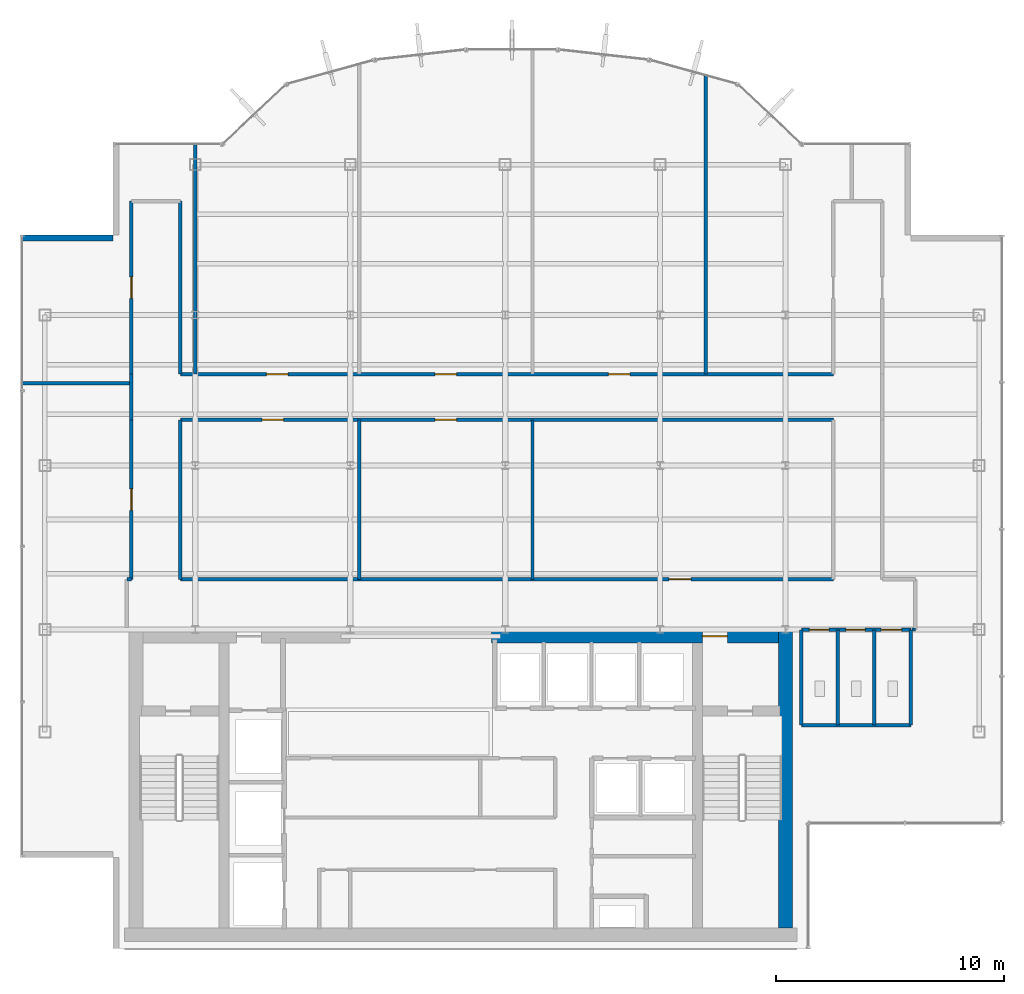
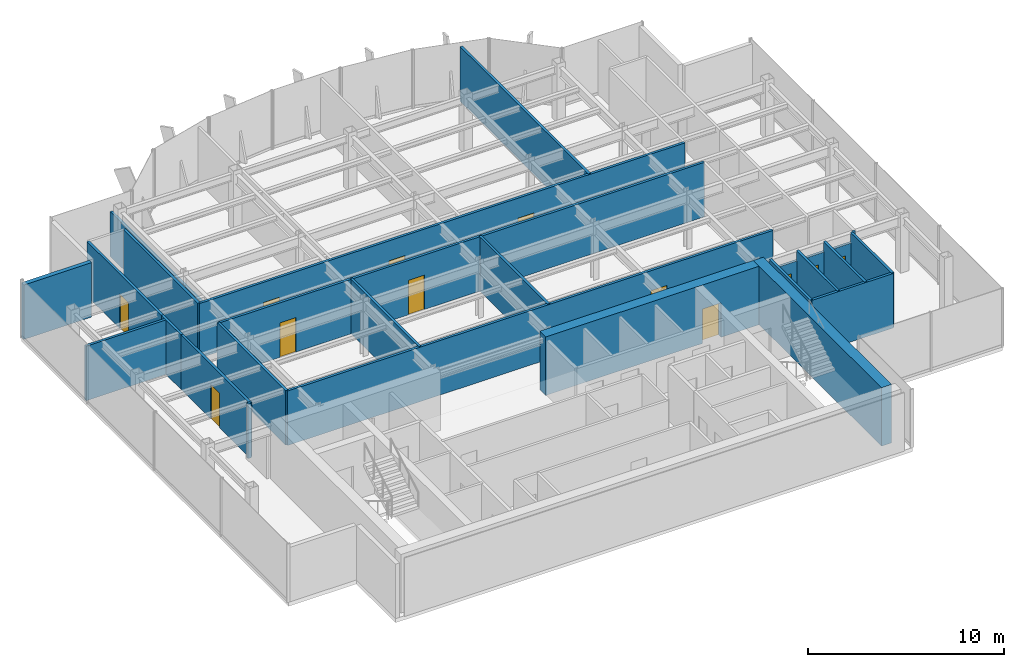
# One storey, part 18 of 22: 24 walls, 12 doors, 12 openings.
"""IFC4 building model written with IfcOpenShell, lengths in metres."""

from ifc_helpers import new_model, si_unit, derived_unit, direction, frame, frame_2d, origin, place, context, subcontext, project, spatial, rectangle, extrude, source, transform, mapped, material, layer, layer_set, type_object, element, fill, save


model = new_model("IFC4")

# Units and contexts
model_context = context("Model", 3, precision=1e-05, world=origin(), true_north=direction((0.0, 1.0)))
body_context = subcontext(model_context, "Body", "Model", "MODEL_VIEW")
ifc_project = project(units=[si_unit("LENGTHUNIT", "METRE"), si_unit("AREAUNIT", "SQUARE_METRE"), si_unit("VOLUMEUNIT", "CUBIC_METRE"), si_unit("PLANEANGLEUNIT", "RADIAN"), si_unit("MASSUNIT", "GRAM", prefix="KILO"), derived_unit("THERMALTRANSMITTANCEUNIT", [(si_unit("POWERUNIT", "WATT"), 1), (si_unit("LENGTHUNIT", "METRE"), -2), (si_unit("THERMODYNAMICTEMPERATUREUNIT", "KELVIN"), -1)])], contexts=[model_context])

# Site, building, storey
site_placement = place(None, origin())
site = spatial("IfcSite", under=ifc_project, at=site_placement, CompositionType="ELEMENT")
building_placement = place(site_placement, origin())
building = spatial("IfcBuilding", under=site, at=building_placement, Name="Skarnbrae Concourse Arena and Tower", CompositionType="ELEMENT")
storey_placement = place(building_placement, frame((0.0, 0.0, 273.39990234375)))
storey = spatial("IfcBuildingStorey", under=building, at=storey_placement, Name="L71", CompositionType="ELEMENT", Elevation=273.39990234375)

# Wall
ifc_material_1 = material(Name="Concrete 50 MPa (C50/60)", Category="concrete")
ifc_layer_1 = layer(ifc_material_1, 0.60009765625)
ifc_layer_set_1 = layer_set([ifc_layer_1], Name="Concrete 50 MPa (C50/60)")
wall_type_1 = type_object("IfcWallType", Name="WALL-CORE-600-C50", PredefinedType="SHEAR", material=ifc_layer_set_1)
shared_shape_1 = source(origin(), body_context, "Body", "SweptSolid", [
    extrude(rectangle(XDim=13.10009765625, YDim=0.60009765625, at=frame_2d((6.550048828125, 0.0))), origin(), (0.0, 0.0, 1.0), 3.650146484375),
])
wall_1_placement = place(storey_placement, frame((33.5, 0.89990234375, 0.0), z_axis=(0.0, 0.0, 1.0), x_axis=(0.0, 1.0, 0.0)))
element("IfcWall", 1, at=wall_1_placement, inside=storey, type_object=wall_type_1, Name="L71 Rear core shear wall CW-E", PredefinedType="SHEAR", context=body_context, shape_type="MappedRepresentation", body=[
    mapped(shared_shape_1, transform((0.0, 0.0, 0.0))),
])

# Wall, opening, door
shared_shape_2 = source(origin(), body_context, "Body", "SweptSolid", [
    extrude(rectangle(XDim=12.599853515625, YDim=0.60009765625, at=frame_2d((6.2998046875, 0.0))), origin(), (0.0, 0.0, 1.0), 3.650146484375),
])
wall_2_placement = place(storey_placement, frame((20.60009765625, 13.699951171875, 0.0), z_axis=(0.0, 0.0, 1.0), x_axis=(1.0, 0.0, 0.0)))
wall_2 = element("IfcWall", 2, at=wall_2_placement, inside=storey, type_object=wall_type_1, Name="L71 Rear core shear wall CW-NE", PredefinedType="SHEAR", context=body_context, shape_type="MappedRepresentation", body=[
    mapped(shared_shape_2, transform((0.0, 0.0, 0.0))),
])
opening_1_placement = place(wall_2_placement, frame((9.25, 0.0, 0.0)))
opening_1 = element("IfcOpeningElement", 3, at=opening_1_placement, cuts=wall_2, Name="Opening DT-03", PredefinedType="OPENING", context=body_context, shape_type="SweptSolid", body=[
    extrude(rectangle(XDim=1.10009765625, YDim=2.14990234375, at=frame_2d((0.550048828125, 1.074951171875))), frame((0.0, 0.31005859375, 0.0), z_axis=(0.0, -1.0, 0.0), x_axis=(1.0, 0.0, 0.0)), (0.0, 0.0, 1.0), 0.6201171875),
])
ifc_material_2 = material(Name="Steel CSA G40.21 350W", Category="steel")
door_type_1 = type_object("IfcDoorType", Name="DOOR-FIRE-1100-90M", OperationType="NOTDEFINED", PredefinedType="DOOR", material=ifc_material_2)
shared_shape_3 = source(origin(), body_context, "Body", "SweptSolid", [
    extrude(rectangle(XDim=1.10009765625, YDim=2.14990234375, at=frame_2d((0.550048828125, 1.074951171875))), frame((0.0, 0.02490234375, 0.0), z_axis=(0.0, -1.0, 0.0), x_axis=(1.0, 0.0, 0.0)), (0.0, 0.0, 1.0), 0.050048828125),
])
door_1_placement = place(opening_1_placement, origin())
door_1 = element("IfcDoor", 4, at=door_1_placement, inside=storey, type_object=door_type_1, Name="D-2141 Stair ST-2 Vestibule Door", OperationType="SINGLE_SWING_LEFT", OverallHeight=2.14990234375, OverallWidth=1.10009765625, PredefinedType="DOOR", context=body_context, shape_type="MappedRepresentation", body=[
    mapped(shared_shape_3, transform((0.0, 0.0, 0.0))),
])
fill(opening_1, door_1)

# Walls
ifc_material_3 = material(Name="Precast concrete 40 MPa (C40/50)", Category="concrete")
ifc_layer_2 = layer(ifc_material_3, 0.25)
ifc_layer_set_2 = layer_set([ifc_layer_2], Name="Precast concrete 40 MPa (C40/50)")
wall_type_2 = type_object("IfcWallType", Name="WALL-EXT-SPANDREL-250", PredefinedType="STANDARD", material=ifc_layer_set_2)
shared_shape_4 = source(origin(), body_context, "Body", "SweptSolid", [
    extrude(rectangle(XDim=4.0, YDim=0.25, at=frame_2d((2.0, 0.0))), origin(), (0.0, 0.0, 1.0), 3.400146484375),
])
wall_3_placement = place(storey_placement, frame((4.0, 31.175048828125, 0.0), z_axis=(0.0, 0.0, 1.0), x_axis=(-1.0, 0.0, 0.0)))
element("IfcWall", 5, at=wall_3_placement, inside=storey, type_object=wall_type_2, Name="L71 Notched corner insulated return wall 17", PredefinedType="STANDARD", context=body_context, shape_type="MappedRepresentation", body=[
    mapped(shared_shape_4, transform((0.0, 0.0, 0.0))),
])
ifc_material_4 = material(Name="Gypsum board on cold-formed steel studs", Category="steel")
ifc_layer_3 = layer(ifc_material_4, 0.14990234375)
ifc_layer_set_3 = layer_set([ifc_layer_3], Name="Gypsum board on cold-formed steel studs")
wall_type_3 = type_object("IfcWallType", Name="WALL-PART-150", PredefinedType="PARTITIONING", material=ifc_layer_set_3)
shared_shape_5 = source(origin(), body_context, "Body", "SweptSolid", [
    extrude(rectangle(XDim=4.800048828125, YDim=0.14990234375, at=frame_2d((2.39990234375, 0.0))), origin(), (0.0, 0.0, 1.0), 3.400146484375),
])
wall_4_placement = place(storey_placement, frame((34.199951171875, 9.800048828125, 0.0), z_axis=(0.0, 0.0, 1.0), x_axis=(1.0, 0.0, 0.0)))
element("IfcWall", 6, at=wall_4_placement, inside=storey, type_object=wall_type_3, Name="L71 Interior partition wall W-L71-WC-S", PredefinedType="PARTITIONING", context=body_context, shape_type="MappedRepresentation", body=[
    mapped(shared_shape_5, transform((0.0, 0.0, 0.0))),
])
shared_shape_6 = source(origin(), body_context, "Body", "SweptSolid", [
    extrude(rectangle(XDim=4.179931640625, YDim=0.14990234375, at=frame_2d((2.08984375, 0.0))), origin(), (0.0, 0.0, 1.0), 3.400146484375),
])
for number, where, z_axis, x_axis, name in (
    (7, (39.0, 9.800048828125, 0.0), (0.0, 0.0, 1.0), (0.0, 1.0, 0.0), "L71 Interior partition wall W-L71-WC-E"),
    (8, (34.199951171875, 9.800048828125, 0.0), (0.0, 0.0, 1.0), (0.0, 1.0, 0.0), "L71 Interior partition wall W-L71-WC-W"),
    (9, (35.800048828125, 9.800048828125, 0.0), (0.0, 0.0, 1.0), (0.0, 1.0, 0.0), "L71 Interior partition wall W-L71-WC-D1"),
    (10, (37.39990234375, 9.800048828125, 0.0), (0.0, 0.0, 1.0), (0.0, 1.0, 0.0), "L71 Interior partition wall W-L71-WC-D2"),
):
    element("IfcWall", number, at=place(storey_placement, frame(where, z_axis=z_axis, x_axis=x_axis)), inside=storey, type_object=wall_type_3, Name=name, PredefinedType="PARTITIONING", context=body_context, shape_type="MappedRepresentation", body=[
        mapped(shared_shape_6, transform((0.0, 0.0, 0.0))),
    ])

# Wall, opening, door
ifc_layer_4 = layer(ifc_material_4, 0.14990234375)
ifc_layer_set_4 = layer_set([ifc_layer_4], Name="Gypsum board on cold-formed steel studs")
wall_type_4 = type_object("IfcWallType", Name="WALL-PART-150-1HR", PredefinedType="PARTITIONING", material=ifc_layer_set_4)
shared_shape_7 = source(origin(), body_context, "Body", "SweptSolid", [
    extrude(rectangle(XDim=7.60009765625, YDim=0.14990234375, at=frame_2d((3.800048828125, 0.0))), origin(), (0.0, 0.0, 1.0), 3.400146484375),
])
wall_5_placement = place(storey_placement, frame((4.800048828125, 25.199951171875, 0.0), z_axis=(0.0, 0.0, 1.0), x_axis=(0.0, 1.0, 0.0)))
wall_5 = element("IfcWall", 11, at=wall_5_placement, inside=storey, type_object=wall_type_4, Name="L71 Interior partition wall W-L71-COR-05", PredefinedType="PARTITIONING", context=body_context, shape_type="MappedRepresentation", body=[
    mapped(shared_shape_7, transform((0.0, 0.0, 0.0))),
])
opening_2_placement = place(wall_5_placement, frame((3.324951171875, 0.0, 0.0)))
opening_2 = element("IfcOpeningElement", 12, at=opening_2_placement, cuts=wall_5, Name="Opening DT-04", PredefinedType="OPENING", context=body_context, shape_type="SweptSolid", body=[
    extrude(rectangle(XDim=0.949951171875, YDim=2.14990234375, at=frame_2d((0.47509765625, 1.074951171875))), frame((0.0, 0.0849609375, 0.0), z_axis=(0.0, -1.0, 0.0), x_axis=(1.0, 0.0, 0.0)), (0.0, 0.0, 1.0), 0.169921875),
])
door_type_2 = type_object("IfcDoorType", Name="DOOR-INT-950-45M", OperationType="NOTDEFINED", PredefinedType="DOOR", material=ifc_material_2)
shared_shape_8 = source(origin(), body_context, "Body", "SweptSolid", [
    extrude(rectangle(XDim=0.949951171875, YDim=2.14990234375, at=frame_2d((0.47509765625, 1.074951171875))), frame((0.0, 0.02490234375, 0.0), z_axis=(0.0, -1.0, 0.0), x_axis=(1.0, 0.0, 0.0)), (0.0, 0.0, 1.0), 0.050048828125),
])
door_2_placement = place(opening_2_placement, origin())
door_2 = element("IfcDoor", 13, at=door_2_placement, inside=storey, type_object=door_type_2, Name="D-2161 L71 Suite Door 02", OperationType="SINGLE_SWING_RIGHT", OverallHeight=2.14990234375, OverallWidth=0.949951171875, PredefinedType="DOOR", context=body_context, shape_type="MappedRepresentation", body=[
    mapped(shared_shape_8, transform((0.0, 0.0, 0.0))),
])
fill(opening_2, door_2)

# Wall
wall_6_placement = place(storey_placement, frame((6.949951171875, 32.800048828125, 0.0), z_axis=(0.0, 0.0, 1.0), x_axis=(0.0, -1.0, 0.0)))
element("IfcWall", 14, at=wall_6_placement, inside=storey, type_object=wall_type_4, Name="L71 Interior partition wall W-L71-COR-07", PredefinedType="PARTITIONING", context=body_context, shape_type="MappedRepresentation", body=[
    mapped(shared_shape_7, transform((0.0, 0.0, 0.0))),
])

# Wall, openings, doors
shared_shape_9 = source(origin(), body_context, "Body", "SweptSolid", [
    extrude(rectangle(XDim=4.800048828125, YDim=0.14990234375, at=frame_2d((2.39990234375, 0.0))), origin(), (0.0, 0.0, 1.0), 2.787109375),
])
wall_7_placement = place(storey_placement, frame((34.199951171875, 13.97998046875, 0.0), z_axis=(0.0, 0.0, 1.0), x_axis=(1.0, 0.0, 0.0)))
wall_7 = element("IfcWall", 15, at=wall_7_placement, inside=storey, type_object=wall_type_3, Name="L71 Interior partition wall W-L71-WC-N", PredefinedType="PARTITIONING", context=body_context, shape_type="MappedRepresentation", body=[
    mapped(shared_shape_9, transform((0.0, 0.0, 0.0))),
])
opening_3_placement = place(wall_7_placement, frame((0.35009765625, 0.0, 0.0)))
opening_3 = element("IfcOpeningElement", 16, at=opening_3_placement, cuts=wall_7, Name="Opening DT-06", PredefinedType="OPENING", context=body_context, shape_type="SweptSolid", body=[
    extrude(rectangle(XDim=0.85009765625, YDim=2.10009765625, at=frame_2d((0.425048828125, 1.050048828125))), frame((0.0, 0.0849609375, 0.0), z_axis=(0.0, -1.0, 0.0), x_axis=(1.0, 0.0, 0.0)), (0.0, 0.0, 1.0), 0.169921875),
])
opening_4_placement = place(wall_7_placement, frame((1.949951171875, 0.0, 0.0)))
opening_4 = element("IfcOpeningElement", 17, at=opening_4_placement, cuts=wall_7, Name="Opening DT-06", PredefinedType="OPENING", context=body_context, shape_type="SweptSolid", body=[
    extrude(rectangle(XDim=0.85009765625, YDim=2.10009765625, at=frame_2d((0.425048828125, 1.050048828125))), frame((0.0, 0.0849609375, 0.0), z_axis=(0.0, -1.0, 0.0), x_axis=(1.0, 0.0, 0.0)), (0.0, 0.0, 1.0), 0.169921875),
])
opening_5_placement = place(wall_7_placement, frame((3.5, 0.0, 0.0)))
opening_5 = element("IfcOpeningElement", 18, at=opening_5_placement, cuts=wall_7, Name="Opening DT-05", PredefinedType="OPENING", context=body_context, shape_type="SweptSolid", body=[
    extrude(rectangle(XDim=0.89990234375, YDim=2.10009765625, at=frame_2d((0.449951171875, 1.050048828125))), frame((0.0, 0.0849609375, 0.0), z_axis=(0.0, -1.0, 0.0), x_axis=(1.0, 0.0, 0.0)), (0.0, 0.0, 1.0), 0.169921875),
])
ifc_material_5 = material(Name="Architectural oak veneer timber leaf", Category="wood")
door_type_3 = type_object("IfcDoorType", Name="DOOR-INT-850", OperationType="NOTDEFINED", PredefinedType="DOOR", material=ifc_material_5)
shared_shape_10 = source(origin(), body_context, "Body", "SweptSolid", [
    extrude(rectangle(XDim=0.85009765625, YDim=2.10009765625, at=frame_2d((0.425048828125, 1.050048828125))), frame((0.0, 0.02490234375, 0.0), z_axis=(0.0, -1.0, 0.0), x_axis=(1.0, 0.0, 0.0)), (0.0, 0.0, 1.0), 0.050048828125),
])
door_3_placement = place(opening_3_placement, frame((0.85009765625, 0.0, 0.0), z_axis=(0.0, 0.0, 1.0), x_axis=(-1.0, 0.0, 0.0)))
door_3 = element("IfcDoor", 19, at=door_3_placement, inside=storey, type_object=door_type_3, Name="D-2157 Male Washroom Door", OperationType="SINGLE_SWING_LEFT", OverallHeight=2.10009765625, OverallWidth=0.85009765625, PredefinedType="DOOR", context=body_context, shape_type="MappedRepresentation", body=[
    mapped(shared_shape_10, transform((0.0, 0.0, 0.0))),
])
fill(opening_3, door_3)
door_4_placement = place(opening_4_placement, frame((0.85009765625, 0.0, 0.0), z_axis=(0.0, 0.0, 1.0), x_axis=(-1.0, 0.0, 0.0)))
door_4 = element("IfcDoor", 20, at=door_4_placement, inside=storey, type_object=door_type_3, Name="D-2158 Female Washroom Door", OperationType="SINGLE_SWING_RIGHT", OverallHeight=2.10009765625, OverallWidth=0.85009765625, PredefinedType="DOOR", context=body_context, shape_type="MappedRepresentation", body=[
    mapped(shared_shape_10, transform((0.0, 0.0, 0.0))),
])
fill(opening_4, door_4)
door_type_4 = type_object("IfcDoorType", Name="DOOR-INT-900", OperationType="NOTDEFINED", PredefinedType="DOOR", material=ifc_material_5)
shared_shape_11 = source(origin(), body_context, "Body", "SweptSolid", [
    extrude(rectangle(XDim=0.89990234375, YDim=2.10009765625, at=frame_2d((0.449951171875, 1.050048828125))), frame((0.0, 0.02490234375, 0.0), z_axis=(0.0, -1.0, 0.0), x_axis=(1.0, 0.0, 0.0)), (0.0, 0.0, 1.0), 0.050048828125),
])
door_5_placement = place(opening_5_placement, frame((0.89990234375, 0.0, 0.0), z_axis=(0.0, 0.0, 1.0), x_axis=(-1.0, 0.0, 0.0)))
door_5 = element("IfcDoor", 21, at=door_5_placement, inside=storey, type_object=door_type_4, Name="D-2159 Accessible WC Door", OperationType="SINGLE_SWING_LEFT", OverallHeight=2.10009765625, OverallWidth=0.89990234375, PredefinedType="DOOR", context=body_context, shape_type="MappedRepresentation", body=[
    mapped(shared_shape_11, transform((0.0, 0.0, 0.0))),
])
fill(opening_5, door_5)

# Walls
shared_shape_12 = source(origin(), body_context, "Body", "SweptSolid", [
    extrude(rectangle(XDim=0.14990234375, YDim=0.14990234375, at=frame_2d((0.074951171875, 0.0))), origin(), (0.0, 0.0, 1.0), 3.400146484375),
])
wall_8_placement = place(storey_placement, frame((39.199951171875, 14.0, 0.0), z_axis=(0.0, 0.0, 1.0), x_axis=(-1.0, 0.0, 0.0)))
element("IfcWall", 22, at=wall_8_placement, inside=storey, type_object=wall_type_4, Name="L71 Interior partition wall W-L71-COR-16", PredefinedType="PARTITIONING", context=body_context, shape_type="MappedRepresentation", body=[
    mapped(shared_shape_12, transform((0.0, 0.0, 0.0))),
])
shared_shape_13 = source(origin(), body_context, "Body", "SweptSolid", [
    extrude(rectangle(XDim=2.0, YDim=0.14990234375, at=frame_2d((1.0, 0.0))), origin(), (0.0, 0.0, 1.0), 3.400146484375),
])
wall_9_placement = place(storey_placement, frame((4.800048828125, 23.199951171875, 0.0), z_axis=(0.0, 0.0, 1.0), x_axis=(0.0, 1.0, 0.0)))
element("IfcWall", 23, at=wall_9_placement, inside=storey, type_object=wall_type_4, Name="L71 Interior partition wall W-L71-COR-04", PredefinedType="PARTITIONING", context=body_context, shape_type="MappedRepresentation", body=[
    mapped(shared_shape_13, transform((0.0, 0.0, 0.0))),
])
shared_shape_14 = source(origin(), body_context, "Body", "SweptSolid", [
    extrude(rectangle(XDim=10.080078125, YDim=0.14990234375, at=frame_2d((5.0400390625, 0.0))), origin(), (0.0, 0.0, 1.0), 2.787109375),
])
wall_10_placement = place(storey_placement, frame((7.60009765625, 35.280029296875, 0.0), z_axis=(0.0, 0.0, 1.0), x_axis=(0.0, -1.0, 0.0)))
element("IfcWall", 24, at=wall_10_placement, inside=storey, type_object=wall_type_3, Name="L71 Interior partition wall W-L71-DEM-22", PredefinedType="PARTITIONING", context=body_context, shape_type="MappedRepresentation", body=[
    mapped(shared_shape_14, transform((0.0, 0.0, 0.0))),
])
shared_shape_15 = source(origin(), body_context, "Body", "SweptSolid", [
    extrude(rectangle(XDim=0.199951171875, YDim=0.14990234375, at=frame_2d((0.10009765625, 0.0))), origin(), (0.0, 0.0, 1.0), 3.400146484375),
])
wall_11_placement = place(storey_placement, frame((4.60009765625, 16.199951171875, 0.0), z_axis=(0.0, 0.0, 1.0), x_axis=(1.0, 0.0, 0.0)))
element("IfcWall", 25, at=wall_11_placement, inside=storey, type_object=wall_type_4, Name="L71 Interior partition wall W-L71-COR-02", PredefinedType="PARTITIONING", context=body_context, shape_type="MappedRepresentation", body=[
    mapped(shared_shape_15, transform((0.0, 0.0, 0.0))),
])

# Wall, opening, door
shared_shape_16 = source(origin(), body_context, "Body", "SweptSolid", [
    extrude(rectangle(XDim=7.0, YDim=0.14990234375, at=frame_2d((3.5, 0.0))), origin(), (0.0, 0.0, 1.0), 3.400146484375),
])
wall_12_placement = place(storey_placement, frame((4.800048828125, 16.199951171875, 0.0), z_axis=(0.0, 0.0, 1.0), x_axis=(0.0, 1.0, 0.0)))
wall_12 = element("IfcWall", 26, at=wall_12_placement, inside=storey, type_object=wall_type_4, Name="L71 Interior partition wall W-L71-COR-03", PredefinedType="PARTITIONING", context=body_context, shape_type="MappedRepresentation", body=[
    mapped(shared_shape_16, transform((0.0, 0.0, 0.0))),
])
opening_6_placement = place(wall_12_placement, frame((3.02490234375, 0.0, 0.0)))
opening_6 = element("IfcOpeningElement", 27, at=opening_6_placement, cuts=wall_12, Name="Opening DT-04", PredefinedType="OPENING", context=body_context, shape_type="SweptSolid", body=[
    extrude(rectangle(XDim=0.949951171875, YDim=2.14990234375, at=frame_2d((0.47509765625, 1.074951171875))), frame((0.0, 0.0849609375, 0.0), z_axis=(0.0, -1.0, 0.0), x_axis=(1.0, 0.0, 0.0)), (0.0, 0.0, 1.0), 0.169921875),
])
door_6_placement = place(opening_6_placement, origin())
door_6 = element("IfcDoor", 28, at=door_6_placement, inside=storey, type_object=door_type_2, Name="D-2160 L71 Suite Door 01", OperationType="SINGLE_SWING_LEFT", OverallHeight=2.14990234375, OverallWidth=0.949951171875, PredefinedType="DOOR", context=body_context, shape_type="MappedRepresentation", body=[
    mapped(shared_shape_8, transform((0.0, 0.0, 0.0))),
])
fill(opening_6, door_6)

# Walls
wall_13_placement = place(storey_placement, frame((6.949951171875, 23.199951171875, 0.0), z_axis=(0.0, 0.0, 1.0), x_axis=(0.0, -1.0, 0.0)))
element("IfcWall", 29, at=wall_13_placement, inside=storey, type_object=wall_type_4, Name="L71 Interior partition wall W-L71-COR-20", PredefinedType="PARTITIONING", context=body_context, shape_type="MappedRepresentation", body=[
    mapped(shared_shape_16, transform((0.0, 0.0, 0.0))),
])
for number, where, z_axis, x_axis, name in (
    (30, (14.800048828125, 23.199951171875, 0.0), (0.0, 0.0, 1.0), (0.0, -1.0, 0.0), "L71 Interior partition wall W-L71-DEM-23"),
    (31, (22.39990234375, 23.199951171875, 0.0), (0.0, 0.0, 1.0), (0.0, -1.0, 0.0), "L71 Interior partition wall W-L71-DEM-25"),
):
    element("IfcWall", number, at=place(storey_placement, frame(where, z_axis=z_axis, x_axis=x_axis)), inside=storey, type_object=wall_type_3, Name=name, PredefinedType="PARTITIONING", context=body_context, shape_type="MappedRepresentation", body=[
        mapped(shared_shape_16, transform((0.0, 0.0, 0.0))),
    ])

# Wall, openings, doors
shared_shape_17 = source(origin(), body_context, "Body", "SweptSolid", [
    extrude(rectangle(XDim=28.650146484375, YDim=0.14990234375, at=frame_2d((14.3251953125, 0.0))), origin(), (0.0, 0.0, 1.0), 3.400146484375),
])
wall_14_placement = place(storey_placement, frame((6.949951171875, 25.199951171875, 0.0), z_axis=(0.0, 0.0, 1.0), x_axis=(1.0, 0.0, 0.0)))
wall_14 = element("IfcWall", 32, at=wall_14_placement, inside=storey, type_object=wall_type_4, Name="L71 Interior partition wall W-L71-COR-08", PredefinedType="PARTITIONING", context=body_context, shape_type="MappedRepresentation", body=[
    mapped(shared_shape_17, transform((0.0, 0.0, 0.0))),
])
opening_7_placement = place(wall_14_placement, frame((3.77490234375, 0.0, 0.0)))
opening_7 = element("IfcOpeningElement", 33, at=opening_7_placement, cuts=wall_14, Name="Opening DT-04", PredefinedType="OPENING", context=body_context, shape_type="SweptSolid", body=[
    extrude(rectangle(XDim=0.949951171875, YDim=2.14990234375, at=frame_2d((0.47509765625, 1.074951171875))), frame((0.0, 0.0849609375, 0.0), z_axis=(0.0, -1.0, 0.0), x_axis=(1.0, 0.0, 0.0)), (0.0, 0.0, 1.0), 0.169921875),
])
opening_8_placement = place(wall_14_placement, frame((11.175048828125, 0.0, 0.0)))
opening_8 = element("IfcOpeningElement", 34, at=opening_8_placement, cuts=wall_14, Name="Opening DT-04", PredefinedType="OPENING", context=body_context, shape_type="SweptSolid", body=[
    extrude(rectangle(XDim=0.949951171875, YDim=2.14990234375, at=frame_2d((0.47509765625, 1.074951171875))), frame((0.0, 0.0849609375, 0.0), z_axis=(0.0, -1.0, 0.0), x_axis=(1.0, 0.0, 0.0)), (0.0, 0.0, 1.0), 0.169921875),
])
opening_9_placement = place(wall_14_placement, frame((18.77490234375, 0.0, 0.0)))
opening_9 = element("IfcOpeningElement", 35, at=opening_9_placement, cuts=wall_14, Name="Opening DT-04", PredefinedType="OPENING", context=body_context, shape_type="SweptSolid", body=[
    extrude(rectangle(XDim=0.949951171875, YDim=2.14990234375, at=frame_2d((0.47509765625, 1.074951171875))), frame((0.0, 0.0849609375, 0.0), z_axis=(0.0, -1.0, 0.0), x_axis=(1.0, 0.0, 0.0)), (0.0, 0.0, 1.0), 0.169921875),
])
door_7_placement = place(opening_7_placement, origin())
door_7 = element("IfcDoor", 36, at=door_7_placement, inside=storey, type_object=door_type_2, Name="D-2163 L71 Suite Door 04", OperationType="SINGLE_SWING_RIGHT", OverallHeight=2.14990234375, OverallWidth=0.949951171875, PredefinedType="DOOR", context=body_context, shape_type="MappedRepresentation", body=[
    mapped(shared_shape_8, transform((0.0, 0.0, 0.0))),
])
fill(opening_7, door_7)
door_8_placement = place(opening_8_placement, origin())
door_8 = element("IfcDoor", 37, at=door_8_placement, inside=storey, type_object=door_type_2, Name="D-2165 L71 Suite Door 06", OperationType="SINGLE_SWING_RIGHT", OverallHeight=2.14990234375, OverallWidth=0.949951171875, PredefinedType="DOOR", context=body_context, shape_type="MappedRepresentation", body=[
    mapped(shared_shape_8, transform((0.0, 0.0, 0.0))),
])
fill(opening_8, door_8)
door_9_placement = place(opening_9_placement, origin())
door_9 = element("IfcDoor", 38, at=door_9_placement, inside=storey, type_object=door_type_2, Name="D-2166 L71 Suite Door 07", OperationType="SINGLE_SWING_LEFT", OverallHeight=2.14990234375, OverallWidth=0.949951171875, PredefinedType="DOOR", context=body_context, shape_type="MappedRepresentation", body=[
    mapped(shared_shape_8, transform((0.0, 0.0, 0.0))),
])
fill(opening_9, door_9)

# Wall, opening, door
wall_15_placement = place(storey_placement, frame((6.949951171875, 16.199951171875, 0.0), z_axis=(0.0, 0.0, 1.0), x_axis=(1.0, 0.0, 0.0)))
wall_15 = element("IfcWall", 39, at=wall_15_placement, inside=storey, type_object=wall_type_4, Name="L71 Interior partition wall W-L71-COR-17", PredefinedType="PARTITIONING", context=body_context, shape_type="MappedRepresentation", body=[
    mapped(shared_shape_17, transform((0.0, 0.0, 0.0))),
])
opening_10_placement = place(wall_15_placement, frame((21.445068359375, 0.0, 0.0)))
opening_10 = element("IfcOpeningElement", 40, at=opening_10_placement, cuts=wall_15, Name="Opening DT-04", PredefinedType="OPENING", context=body_context, shape_type="SweptSolid", body=[
    extrude(rectangle(XDim=0.949951171875, YDim=2.14990234375, at=frame_2d((0.47509765625, 1.074951171875))), frame((0.0, 0.0849609375, 0.0), z_axis=(0.0, -1.0, 0.0), x_axis=(1.0, 0.0, 0.0)), (0.0, 0.0, 1.0), 0.169921875),
])
door_10_placement = place(opening_10_placement, origin())
door_10 = element("IfcDoor", 41, at=door_10_placement, inside=storey, type_object=door_type_2, Name="D-2167 L71 Suite Door 08", OperationType="SINGLE_SWING_RIGHT", OverallHeight=2.14990234375, OverallWidth=0.949951171875, PredefinedType="DOOR", context=body_context, shape_type="MappedRepresentation", body=[
    mapped(shared_shape_8, transform((0.0, 0.0, 0.0))),
])
fill(opening_10, door_10)

# Wall, openings, doors
wall_16_placement = place(storey_placement, frame((35.60009765625, 23.199951171875, 0.0), z_axis=(0.0, 0.0, 1.0), x_axis=(-1.0, 0.0, 0.0)))
wall_16 = element("IfcWall", 42, at=wall_16_placement, inside=storey, type_object=wall_type_4, Name="L71 Interior partition wall W-L71-COR-19", PredefinedType="PARTITIONING", context=body_context, shape_type="MappedRepresentation", body=[
    mapped(shared_shape_17, transform((0.0, 0.0, 0.0))),
])
opening_11_placement = place(wall_16_placement, frame((24.1201171875, 0.0, 0.0)))
opening_11 = element("IfcOpeningElement", 43, at=opening_11_placement, cuts=wall_16, Name="Opening DT-04", PredefinedType="OPENING", context=body_context, shape_type="SweptSolid", body=[
    extrude(rectangle(XDim=0.949951171875, YDim=2.14990234375, at=frame_2d((0.47509765625, 1.074951171875))), frame((0.0, 0.0849609375, 0.0), z_axis=(0.0, -1.0, 0.0), x_axis=(1.0, 0.0, 0.0)), (0.0, 0.0, 1.0), 0.169921875),
])
opening_12_placement = place(wall_16_placement, frame((16.52490234375, 0.0, 0.0)))
opening_12 = element("IfcOpeningElement", 44, at=opening_12_placement, cuts=wall_16, Name="Opening DT-04", PredefinedType="OPENING", context=body_context, shape_type="SweptSolid", body=[
    extrude(rectangle(XDim=0.949951171875, YDim=2.14990234375, at=frame_2d((0.47509765625, 1.074951171875))), frame((0.0, 0.0849609375, 0.0), z_axis=(0.0, -1.0, 0.0), x_axis=(1.0, 0.0, 0.0)), (0.0, 0.0, 1.0), 0.169921875),
])
door_11_placement = place(opening_11_placement, origin())
door_11 = element("IfcDoor", 45, at=door_11_placement, inside=storey, type_object=door_type_2, Name="D-2162 L71 Suite Door 03", OperationType="SINGLE_SWING_LEFT", OverallHeight=2.14990234375, OverallWidth=0.949951171875, PredefinedType="DOOR", context=body_context, shape_type="MappedRepresentation", body=[
    mapped(shared_shape_8, transform((0.0, 0.0, 0.0))),
])
fill(opening_11, door_11)
door_12_placement = place(opening_12_placement, origin())
door_12 = element("IfcDoor", 46, at=door_12_placement, inside=storey, type_object=door_type_2, Name="D-2164 L71 Suite Door 05", OperationType="SINGLE_SWING_LEFT", OverallHeight=2.14990234375, OverallWidth=0.949951171875, PredefinedType="DOOR", context=body_context, shape_type="MappedRepresentation", body=[
    mapped(shared_shape_8, transform((0.0, 0.0, 0.0))),
])
fill(opening_12, door_12)

# Walls
shared_shape_18 = source(origin(), body_context, "Body", "SweptSolid", [
    extrude(rectangle(XDim=4.780029296875, YDim=0.14990234375, at=frame_2d((2.39013671875, 0.0))), origin(), (0.0, 0.0, 1.0), 3.400146484375),
])
wall_17_placement = place(storey_placement, frame((0.02001953125, 24.800048828125, 0.0), z_axis=(0.0, 0.0, 1.0), x_axis=(1.0, 0.0, 0.0)))
element("IfcWall", 47, at=wall_17_placement, inside=storey, type_object=wall_type_3, Name="L71 Interior partition wall W-L71-DEM-21", PredefinedType="PARTITIONING", context=body_context, shape_type="MappedRepresentation", body=[
    mapped(shared_shape_18, transform((0.0, 0.0, 0.0))),
])
shared_shape_19 = source(origin(), body_context, "Body", "SweptSolid", [
    extrude(rectangle(XDim=13.094482421875, YDim=0.14990234375, at=frame_2d((6.54736328125, 0.0))), origin(), (0.0, 0.0, 1.0), 3.400146484375),
])
wall_18_placement = place(storey_placement, frame((30.0, 38.29443359375, 0.0), z_axis=(0.0, 0.0, 1.0), x_axis=(0.0, -1.0, 0.0)))
element("IfcWall", 48, at=wall_18_placement, inside=storey, type_object=wall_type_3, Name="L71 Interior partition wall W-L71-DEM-27", PredefinedType="PARTITIONING", context=body_context, shape_type="MappedRepresentation", body=[
    mapped(shared_shape_19, transform((0.0, 0.0, 0.0))),
])

save(model, "model.ifc")
